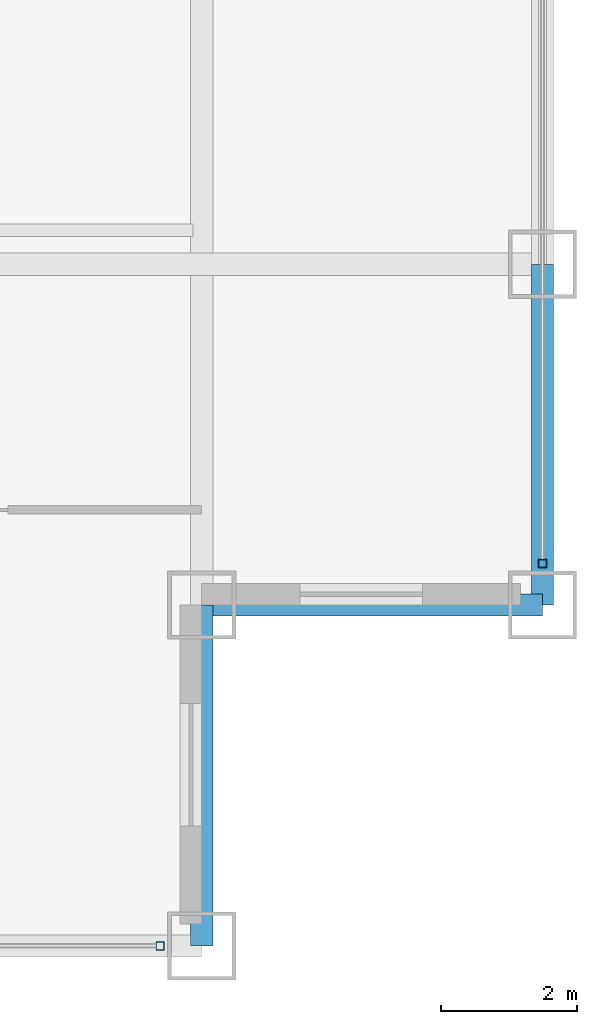
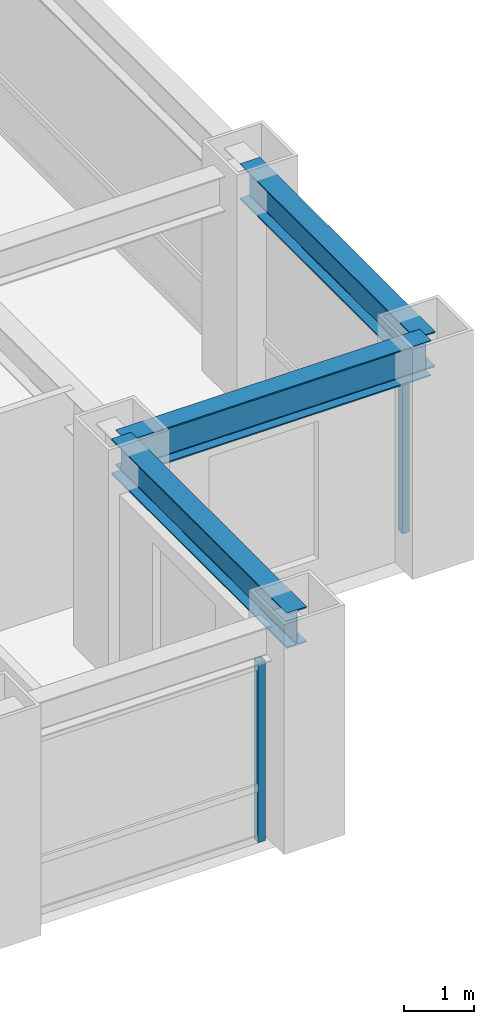
# One storey, part 8 of 25: 3 beams, 2 members, 2 elements without a shape of their own.
"""IFC4 building model written with IfcOpenShell, lengths in metres."""

from ifc_helpers import new_model, si_unit, direction, frame, origin, origin_2d, place, context, subcontext, project, spatial, hollow_rectangle, i_section, extrude, source, transform, mapped, material, material_profile, profile_set, type_object, element, aggregate, save


model = new_model("IFC4")

# Units and contexts
model_context = context("Model", 3, precision=1e-05, world=origin(), true_north=direction((0.0, 1.0)))
body_context = subcontext(model_context, "Body", "Model", "MODEL_VIEW")
ifc_project = project(units=[si_unit("LENGTHUNIT", "METRE"), si_unit("AREAUNIT", "SQUARE_METRE"), si_unit("VOLUMEUNIT", "CUBIC_METRE"), si_unit("PLANEANGLEUNIT", "RADIAN"), si_unit("MASSUNIT", "GRAM", prefix="KILO")], contexts=[model_context])

# Site, building, storey
site_placement = place(None, origin())
site = spatial("IfcSite", under=ifc_project, at=site_placement, CompositionType="ELEMENT")
building_placement = place(site_placement, origin())
building = spatial("IfcBuilding", under=site, at=building_placement, Name="Khorayat Bourse Tower", CompositionType="ELEMENT")
storey_placement = place(building_placement, frame((0.0, 0.0, 255.10009765625)))
storey = spatial("IfcBuildingStorey", under=building, at=storey_placement, Name="L60", CompositionType="ELEMENT", Elevation=255.10009765625)

# Beams
ifc_material_1 = material(Name="Steel ASTM A992 Grade 50", Category="steel")
ifc_material_profile_1 = material_profile(ifc_material_1, i_section(OverallWidth=0.324951171875, OverallDepth=0.615966796875, WebThickness=0.013916015625, FlangeThickness=0.021484375, FilletRadius=0.01611328125, at=origin_2d()), Name="W610X174")
ifc_profile_set_1 = profile_set([ifc_material_profile_1], Name="Steel ASTM A992 Grade 50")
beam_type = type_object("IfcBeamType", Name="BM-SPAN-610", PredefinedType="SPANDREL", material=ifc_profile_set_1)
shared_shape_1 = source(origin(), body_context, "Body", "SweptSolid", [
    extrude(i_section(OverallWidth=0.324951171875, OverallDepth=0.615966796875, WebThickness=0.013916015625, FlangeThickness=0.021484375, FilletRadius=0.01611328125, at=origin_2d()), origin(), (0.0, 0.0, 1.0), 5.0),
])
for number, where, z_axis, x_axis, name in (
    (1, (25.0, -30.0, 3.471923828125), (0.0, 1.0, 0.0), (-1.0, 0.0, 0.0), "L60 BM-SPAN-610 BM-L60-SPN-032"),
    (2, (25.0, -25.0, 3.471923828125), (1.0, 0.0, 0.0), (0.0, 1.0, 0.0), "L60 BM-SPAN-610 BM-L60-SPN-033"),
    (3, (30.0, -25.0, 3.471923828125), (0.0, 1.0, 0.0), (-1.0, 0.0, 0.0), "L60 BM-SPAN-610 BM-L60-SPN-034"),
):
    element("IfcBeam", number, at=place(storey_placement, frame(where, z_axis=z_axis, x_axis=x_axis)), inside=storey, type_object=beam_type, Name=name, PredefinedType="SPANDREL", context=body_context, shape_type="MappedRepresentation", body=[
        mapped(shared_shape_1, transform((0.0, 0.0, 0.0), scale=1.0)),
    ])

# Curtain wall, member
ifc_material_2 = material(Name="Aluminium EN AW-6063 T6", Category="aluminium")
curtain_wall_type = type_object("IfcCurtainWallType", Name="CW-SYS-03", PredefinedType="NOTDEFINED", material=ifc_material_2)
curtain_wall_1_placement = place(storey_placement, origin())
curtain_wall_1 = element("IfcCurtainWall", 4, at=curtain_wall_1_placement, inside=storey, type_object=curtain_wall_type, Name="L60 Curtain Wall CW-L60-S1", PredefinedType="NOTDEFINED")
ifc_material_profile_2 = material_profile(ifc_material_2, hollow_rectangle(XDim=0.1201171875, YDim=0.1201171875, WallThickness=0.0048828125, at=origin_2d()), Name="ALU 120x120x5")
ifc_profile_set_2 = profile_set([ifc_material_profile_2], Name="Aluminium EN AW-6063 T6")
member_type = type_object("IfcMemberType", Name="CWM-VERT-120", PredefinedType="MULLION", material=ifc_profile_set_2)
shared_shape_2 = source(origin(), body_context, "Body", "SweptSolid", [
    extrude(hollow_rectangle(XDim=0.1201171875, YDim=0.1201171875, WallThickness=0.0048828125, at=origin_2d()), origin(), (0.0, 0.0, 1.0), 3.1298828125),
])
member_1_placement = place(storey_placement, frame((24.389892578125, -30.0, 0.0), z_axis=(0.0, 0.0, 1.0), x_axis=(0.0, 1.0, 0.0)))
member_1 = element("IfcMember", 5, at=member_1_placement, type_object=member_type, Name="CW-L60-S1 Vertical Mullion 3", PredefinedType="MULLION", context=body_context, shape_type="MappedRepresentation", body=[
    mapped(shared_shape_2, transform((0.0, 0.0, 0.0), scale=1.0)),
])
aggregate(curtain_wall_1, [member_1])

curtain_wall_2_placement = place(storey_placement, origin())
curtain_wall_2 = element("IfcCurtainWall", 6, at=curtain_wall_2_placement, inside=storey, type_object=curtain_wall_type, Name="L60 Curtain Wall CW-L60-E1", PredefinedType="NOTDEFINED")
member_2_placement = place(storey_placement, frame((30.0, -24.389892578125, 0.0), z_axis=(0.0, 0.0, 1.0), x_axis=(-1.0, 0.0, 0.0)))
member_2 = element("IfcMember", 7, at=member_2_placement, type_object=member_type, Name="CW-L60-E1 Vertical Mullion 1", PredefinedType="MULLION", context=body_context, shape_type="MappedRepresentation", body=[
    mapped(shared_shape_2, transform((0.0, 0.0, 0.0), scale=1.0)),
])
aggregate(curtain_wall_2, [member_2])

save(model, "model.ifc")
